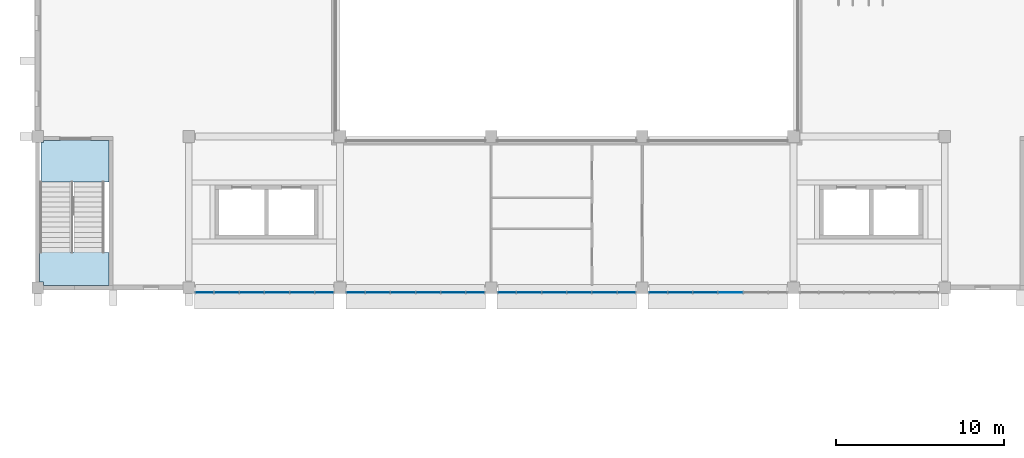
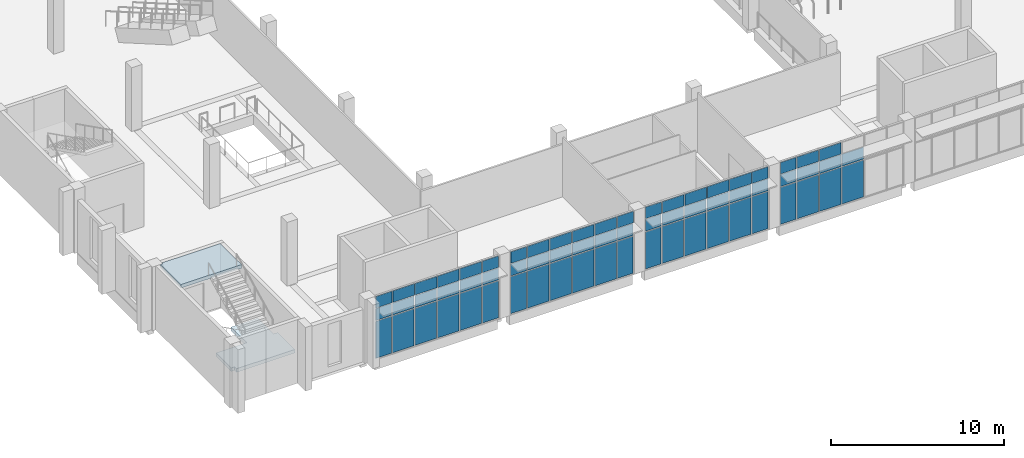
# One storey, part 17 of 45: 65 plates, 2 slabs, 5 elements without a shape of their own.
"""IFC4 building model written with IfcOpenShell, lengths in metres."""

from ifc_helpers import new_model, si_unit, direction, frame, origin, origin_2d, place, context, subcontext, project, spatial, polyline, rectangle, outline, extrude, material, layer, layer_set, type_object, element, aggregate, save


model = new_model("IFC4")

# Units and contexts
model_context = context("Model", 3, precision=1e-05, world=origin(), true_north=direction((0.0, 1.0)))
body_context = subcontext(model_context, "Body", "Model", "MODEL_VIEW")
ifc_project = project(units=[si_unit("LENGTHUNIT", "METRE"), si_unit("AREAUNIT", "SQUARE_METRE"), si_unit("VOLUMEUNIT", "CUBIC_METRE"), si_unit("PLANEANGLEUNIT", "RADIAN"), si_unit("MASSUNIT", "GRAM", prefix="KILO")], contexts=[model_context])

# Site, building, storey
site_placement = place(None, origin())
site = spatial("IfcSite", under=ifc_project, at=site_placement, CompositionType="ELEMENT")
building_placement = place(site_placement, origin())
building = spatial("IfcBuilding", under=site, at=building_placement, Name="Guidao Yard Department Store", CompositionType="ELEMENT")
storey_placement = place(building_placement, frame((0.0, 0.0, 19.5)))
storey = spatial("IfcBuildingStorey", under=building, at=storey_placement, Name="L04", CompositionType="ELEMENT", Elevation=19.5)

# Curtain wall, plates
ifc_material_1 = material(Name="Aluminium and glass", Category="aluminium")
ifc_layer_1 = layer(ifc_material_1, 0.159912109375)
ifc_layer_set_1 = layer_set([ifc_layer_1], Name="Hall front curtain wall CW2 1500 module")
curtain_wall_type = type_object("IfcCurtainWallType", Name="Hall front curtain wall CW2 1500 module", PredefinedType="NOTDEFINED", material=ifc_layer_set_1)
curtain_wall_1_placement = place(storey_placement, origin())
curtain_wall_1 = element("IfcCurtainWall", 1, at=curtain_wall_1_placement, inside=storey, type_object=curtain_wall_type, Name="Hall front curtain wall", PredefinedType="NOTDEFINED")
ifc_material_2 = material(Name="Aluminium 6063-T5 faced insulated spandrel", Category="aluminium")
ifc_layer_2 = layer(ifc_material_2, 0.06005859375)
ifc_layer_set_2 = layer_set([ifc_layer_2], Name="Spandrel panel SP1 insulated opaque")
plate_type_1 = type_object("IfcPlateType", Name="Spandrel panel SP1 insulated opaque", PredefinedType="CURTAIN_PANEL", material=ifc_layer_set_2)
plate_1_placement = place(storey_placement, frame((9.93994140625, 44.719970703125, 3.6298828125), z_axis=(0.0, 0.0, 1.0), x_axis=(-1.0, 0.0, 0.0)))
plate_1 = element("IfcPlate", 2, at=plate_1_placement, type_object=plate_type_1, Name="CW-HF-L04-01 panel 1.3", PredefinedType="CURTAIN_PANEL", context=body_context, shape_type="SweptSolid", body=[
    extrude(rectangle(XDim=1.06005859375, YDim=0.06005859375, at=origin_2d()), origin(), (0.0, 0.0, 1.0), 0.81005859375),
])
plate_2_placement = place(storey_placement, frame((11.25, 44.719970703125, 3.6298828125), z_axis=(0.0, 0.0, 1.0), x_axis=(-1.0, 0.0, 0.0)))
plate_2 = element("IfcPlate", 3, at=plate_2_placement, type_object=plate_type_1, Name="CW-HF-L04-01 panel 2.3", PredefinedType="CURTAIN_PANEL", context=body_context, shape_type="SweptSolid", body=[
    extrude(rectangle(XDim=1.43994140625, YDim=0.06005859375, at=origin_2d()), origin(), (0.0, 0.0, 1.0), 0.81005859375),
])
plate_3_placement = place(storey_placement, frame((12.75, 44.719970703125, 3.6298828125), z_axis=(0.0, 0.0, 1.0), x_axis=(-1.0, 0.0, 0.0)))
plate_3 = element("IfcPlate", 4, at=plate_3_placement, type_object=plate_type_1, Name="CW-HF-L04-01 panel 3.3", PredefinedType="CURTAIN_PANEL", context=body_context, shape_type="SweptSolid", body=[
    extrude(rectangle(XDim=1.43994140625, YDim=0.06005859375, at=origin_2d()), origin(), (0.0, 0.0, 1.0), 0.81005859375),
])
plate_4_placement = place(storey_placement, frame((14.25, 44.719970703125, 3.6298828125), z_axis=(0.0, 0.0, 1.0), x_axis=(-1.0, 0.0, 0.0)))
plate_4 = element("IfcPlate", 5, at=plate_4_placement, type_object=plate_type_1, Name="CW-HF-L04-01 panel 4.3", PredefinedType="CURTAIN_PANEL", context=body_context, shape_type="SweptSolid", body=[
    extrude(rectangle(XDim=1.43994140625, YDim=0.06005859375, at=origin_2d()), origin(), (0.0, 0.0, 1.0), 0.81005859375),
])
plate_5_placement = place(storey_placement, frame((15.75, 44.719970703125, 3.6298828125), z_axis=(0.0, 0.0, 1.0), x_axis=(-1.0, 0.0, 0.0)))
plate_5 = element("IfcPlate", 6, at=plate_5_placement, type_object=plate_type_1, Name="CW-HF-L04-01 panel 5.3", PredefinedType="CURTAIN_PANEL", context=body_context, shape_type="SweptSolid", body=[
    extrude(rectangle(XDim=1.43994140625, YDim=0.06005859375, at=origin_2d()), origin(), (0.0, 0.0, 1.0), 0.81005859375),
])
plate_6_placement = place(storey_placement, frame((17.06005859375, 44.719970703125, 3.6298828125), z_axis=(0.0, 0.0, 1.0), x_axis=(-1.0, 0.0, 0.0)))
plate_6 = element("IfcPlate", 7, at=plate_6_placement, type_object=plate_type_1, Name="CW-HF-L04-01 panel 6.3", PredefinedType="CURTAIN_PANEL", context=body_context, shape_type="SweptSolid", body=[
    extrude(rectangle(XDim=1.06005859375, YDim=0.06005859375, at=origin_2d()), origin(), (0.0, 0.0, 1.0), 0.81005859375),
])

curtain_wall_2_placement = place(storey_placement, origin())
curtain_wall_2 = element("IfcCurtainWall", 8, at=curtain_wall_2_placement, inside=storey, type_object=curtain_wall_type, Name="Hall front curtain wall", PredefinedType="NOTDEFINED")
plate_7_placement = place(storey_placement, frame((18.93994140625, 44.719970703125, 3.6298828125), z_axis=(0.0, 0.0, 1.0), x_axis=(-1.0, 0.0, 0.0)))
plate_7 = element("IfcPlate", 9, at=plate_7_placement, type_object=plate_type_1, Name="CW-HF-L04-02 panel 1.3", PredefinedType="CURTAIN_PANEL", context=body_context, shape_type="SweptSolid", body=[
    extrude(rectangle(XDim=1.06005859375, YDim=0.06005859375, at=origin_2d()), origin(), (0.0, 0.0, 1.0), 0.81005859375),
])
plate_8_placement = place(storey_placement, frame((20.25, 44.719970703125, 3.6298828125), z_axis=(0.0, 0.0, 1.0), x_axis=(-1.0, 0.0, 0.0)))
plate_8 = element("IfcPlate", 10, at=plate_8_placement, type_object=plate_type_1, Name="CW-HF-L04-02 panel 2.3", PredefinedType="CURTAIN_PANEL", context=body_context, shape_type="SweptSolid", body=[
    extrude(rectangle(XDim=1.43994140625, YDim=0.06005859375, at=origin_2d()), origin(), (0.0, 0.0, 1.0), 0.81005859375),
])
plate_9_placement = place(storey_placement, frame((21.75, 44.719970703125, 3.6298828125), z_axis=(0.0, 0.0, 1.0), x_axis=(-1.0, 0.0, 0.0)))
plate_9 = element("IfcPlate", 11, at=plate_9_placement, type_object=plate_type_1, Name="CW-HF-L04-02 panel 3.3", PredefinedType="CURTAIN_PANEL", context=body_context, shape_type="SweptSolid", body=[
    extrude(rectangle(XDim=1.43994140625, YDim=0.06005859375, at=origin_2d()), origin(), (0.0, 0.0, 1.0), 0.81005859375),
])
plate_10_placement = place(storey_placement, frame((23.25, 44.719970703125, 3.6298828125), z_axis=(0.0, 0.0, 1.0), x_axis=(-1.0, 0.0, 0.0)))
plate_10 = element("IfcPlate", 12, at=plate_10_placement, type_object=plate_type_1, Name="CW-HF-L04-02 panel 4.3", PredefinedType="CURTAIN_PANEL", context=body_context, shape_type="SweptSolid", body=[
    extrude(rectangle(XDim=1.43994140625, YDim=0.06005859375, at=origin_2d()), origin(), (0.0, 0.0, 1.0), 0.81005859375),
])
plate_11_placement = place(storey_placement, frame((24.75, 44.719970703125, 3.6298828125), z_axis=(0.0, 0.0, 1.0), x_axis=(-1.0, 0.0, 0.0)))
plate_11 = element("IfcPlate", 13, at=plate_11_placement, type_object=plate_type_1, Name="CW-HF-L04-02 panel 5.3", PredefinedType="CURTAIN_PANEL", context=body_context, shape_type="SweptSolid", body=[
    extrude(rectangle(XDim=1.43994140625, YDim=0.06005859375, at=origin_2d()), origin(), (0.0, 0.0, 1.0), 0.81005859375),
])
plate_12_placement = place(storey_placement, frame((26.06005859375, 44.719970703125, 3.6298828125), z_axis=(0.0, 0.0, 1.0), x_axis=(-1.0, 0.0, 0.0)))
plate_12 = element("IfcPlate", 14, at=plate_12_placement, type_object=plate_type_1, Name="CW-HF-L04-02 panel 6.3", PredefinedType="CURTAIN_PANEL", context=body_context, shape_type="SweptSolid", body=[
    extrude(rectangle(XDim=1.06005859375, YDim=0.06005859375, at=origin_2d()), origin(), (0.0, 0.0, 1.0), 0.81005859375),
])

curtain_wall_3_placement = place(storey_placement, origin())
curtain_wall_3 = element("IfcCurtainWall", 15, at=curtain_wall_3_placement, inside=storey, type_object=curtain_wall_type, Name="Hall front curtain wall", PredefinedType="NOTDEFINED")
plate_13_placement = place(storey_placement, frame((27.93994140625, 44.719970703125, 3.6298828125), z_axis=(0.0, 0.0, 1.0), x_axis=(-1.0, 0.0, 0.0)))
plate_13 = element("IfcPlate", 16, at=plate_13_placement, type_object=plate_type_1, Name="CW-HF-L04-03 panel 1.3", PredefinedType="CURTAIN_PANEL", context=body_context, shape_type="SweptSolid", body=[
    extrude(rectangle(XDim=1.06005859375, YDim=0.06005859375, at=origin_2d()), origin(), (0.0, 0.0, 1.0), 0.81005859375),
])
plate_14_placement = place(storey_placement, frame((29.25, 44.719970703125, 3.6298828125), z_axis=(0.0, 0.0, 1.0), x_axis=(-1.0, 0.0, 0.0)))
plate_14 = element("IfcPlate", 17, at=plate_14_placement, type_object=plate_type_1, Name="CW-HF-L04-03 panel 2.3", PredefinedType="CURTAIN_PANEL", context=body_context, shape_type="SweptSolid", body=[
    extrude(rectangle(XDim=1.43994140625, YDim=0.06005859375, at=origin_2d()), origin(), (0.0, 0.0, 1.0), 0.81005859375),
])
plate_15_placement = place(storey_placement, frame((30.75, 44.719970703125, 3.6298828125), z_axis=(0.0, 0.0, 1.0), x_axis=(-1.0, 0.0, 0.0)))
plate_15 = element("IfcPlate", 18, at=plate_15_placement, type_object=plate_type_1, Name="CW-HF-L04-03 panel 3.3", PredefinedType="CURTAIN_PANEL", context=body_context, shape_type="SweptSolid", body=[
    extrude(rectangle(XDim=1.43994140625, YDim=0.06005859375, at=origin_2d()), origin(), (0.0, 0.0, 1.0), 0.81005859375),
])
plate_16_placement = place(storey_placement, frame((32.25, 44.719970703125, 3.6298828125), z_axis=(0.0, 0.0, 1.0), x_axis=(-1.0, 0.0, 0.0)))
plate_16 = element("IfcPlate", 19, at=plate_16_placement, type_object=plate_type_1, Name="CW-HF-L04-03 panel 4.3", PredefinedType="CURTAIN_PANEL", context=body_context, shape_type="SweptSolid", body=[
    extrude(rectangle(XDim=1.43994140625, YDim=0.06005859375, at=origin_2d()), origin(), (0.0, 0.0, 1.0), 0.81005859375),
])
plate_17_placement = place(storey_placement, frame((33.75, 44.719970703125, 3.6298828125), z_axis=(0.0, 0.0, 1.0), x_axis=(-1.0, 0.0, 0.0)))
plate_17 = element("IfcPlate", 20, at=plate_17_placement, type_object=plate_type_1, Name="CW-HF-L04-03 panel 5.3", PredefinedType="CURTAIN_PANEL", context=body_context, shape_type="SweptSolid", body=[
    extrude(rectangle(XDim=1.43994140625, YDim=0.06005859375, at=origin_2d()), origin(), (0.0, 0.0, 1.0), 0.81005859375),
])
plate_18_placement = place(storey_placement, frame((35.06005859375, 44.719970703125, 3.6298828125), z_axis=(0.0, 0.0, 1.0), x_axis=(-1.0, 0.0, 0.0)))
plate_18 = element("IfcPlate", 21, at=plate_18_placement, type_object=plate_type_1, Name="CW-HF-L04-03 panel 6.3", PredefinedType="CURTAIN_PANEL", context=body_context, shape_type="SweptSolid", body=[
    extrude(rectangle(XDim=1.06005859375, YDim=0.06005859375, at=origin_2d()), origin(), (0.0, 0.0, 1.0), 0.81005859375),
])

curtain_wall_4_placement = place(storey_placement, origin())
curtain_wall_4 = element("IfcCurtainWall", 22, at=curtain_wall_4_placement, inside=storey, type_object=curtain_wall_type, Name="Hall front curtain wall", PredefinedType="NOTDEFINED")
plate_19_placement = place(storey_placement, frame((36.93994140625, 44.719970703125, 3.6298828125), z_axis=(0.0, 0.0, 1.0), x_axis=(-1.0, 0.0, 0.0)))
plate_19 = element("IfcPlate", 23, at=plate_19_placement, type_object=plate_type_1, Name="CW-HF-L04-04 panel 1.3", PredefinedType="CURTAIN_PANEL", context=body_context, shape_type="SweptSolid", body=[
    extrude(rectangle(XDim=1.06005859375, YDim=0.06005859375, at=origin_2d()), origin(), (0.0, 0.0, 1.0), 0.81005859375),
])
plate_20_placement = place(storey_placement, frame((38.25, 44.719970703125, 3.6298828125), z_axis=(0.0, 0.0, 1.0), x_axis=(-1.0, 0.0, 0.0)))
plate_20 = element("IfcPlate", 24, at=plate_20_placement, type_object=plate_type_1, Name="CW-HF-L04-04 panel 2.3", PredefinedType="CURTAIN_PANEL", context=body_context, shape_type="SweptSolid", body=[
    extrude(rectangle(XDim=1.43994140625, YDim=0.06005859375, at=origin_2d()), origin(), (0.0, 0.0, 1.0), 0.81005859375),
])
plate_21_placement = place(storey_placement, frame((39.75, 44.719970703125, 3.6298828125), z_axis=(0.0, 0.0, 1.0), x_axis=(-1.0, 0.0, 0.0)))
plate_21 = element("IfcPlate", 25, at=plate_21_placement, type_object=plate_type_1, Name="CW-HF-L04-04 panel 3.3", PredefinedType="CURTAIN_PANEL", context=body_context, shape_type="SweptSolid", body=[
    extrude(rectangle(XDim=1.43994140625, YDim=0.06005859375, at=origin_2d()), origin(), (0.0, 0.0, 1.0), 0.81005859375),
])

# Stair, slabs
ifc_material_3 = material(Name="Concrete C35", Category="concrete")
stair_type = type_object("IfcStairType", Name="Stair half-turn two-flight 1800 wide 4.5 m rise", PredefinedType="HALF_TURN_STAIR", material=ifc_material_3)
stair_placement = place(storey_placement, origin())
stair = element("IfcStair", 26, at=stair_placement, inside=storey, type_object=stair_type, Name="Stair A8 L04 to L05", PredefinedType="HALF_TURN_STAIR")
ifc_material_4 = material(Name="Concrete C35", Category="concrete")
ifc_layer_3 = layer(ifc_material_4, 0.25)
ifc_layer_set_3 = layer_set([ifc_layer_3], Name="Stair landing RC 250 C35")
slab_type = type_object("IfcSlabType", Name="Stair landing RC 250 C35", PredefinedType="LANDING", material=ifc_layer_set_3)
slab_1_placement = place(storey_placement, frame((0.0, 0.0, 2.0)))
slab_1 = element("IfcSlab", 27, at=slab_1_placement, type_object=slab_type, Name="SA8-L04 landing 1", PredefinedType="LANDING", context=body_context, shape_type="SweptSolid", body=[
    extrude(outline(polyline([(0.35009765625, 45.125), (0.35009765625, 45.35009765625), (0.125, 45.35009765625), (0.125, 47.10009765625), (0.125, 47.110107421875), (2.175048828125, 47.110107421875), (2.175048828125, 48.929931640625), (3.97509765625, 48.929931640625), (3.97509765625, 47.10009765625), (4.25, 47.10009765625), (4.25, 45.125), (0.35009765625, 45.125)])), origin(), (0.0, 0.0, 1.0), 0.25),
])
slab_2_placement = place(storey_placement, frame((0.0, 0.0, 4.25)))
slab_2 = element("IfcSlab", 28, at=slab_2_placement, type_object=slab_type, Name="SA8-L04 landing 2", PredefinedType="LANDING", context=body_context, shape_type="SweptSolid", body=[
    extrude(outline(polyline([(2.175048828125, 51.2900390625), (2.175048828125, 51.300048828125), (0.199951171875, 51.300048828125), (0.199951171875, 53.64990234375), (0.35009765625, 53.64990234375), (0.35009765625, 53.75), (2.175048828125, 53.75), (4.25, 53.75), (4.25, 51.2900390625), (2.175048828125, 51.2900390625)])), origin(), (0.0, 0.0, 1.0), 0.25),
])
aggregate(stair, [slab_1, slab_2])

# Plate
ifc_material_5 = material(Name="Laminated heat-soaked tempered glass", Category="glass")
ifc_layer_4 = layer(ifc_material_5, 0.017578125)
ifc_layer_set_4 = layer_set([ifc_layer_4], Name="Vision glass VG1 laminated heat-soaked tempered 8+8")
plate_type_2 = type_object("IfcPlateType", Name="Vision glass VG1 laminated heat-soaked tempered 8+8", PredefinedType="CURTAIN_PANEL", material=ifc_layer_set_4)
plate_22_placement = place(storey_placement, frame((9.93994140625, 44.719970703125, 0.06005859375), z_axis=(0.0, 0.0, 1.0), x_axis=(-1.0, 0.0, 0.0)))
plate_22 = element("IfcPlate", 29, at=plate_22_placement, type_object=plate_type_2, Name="CW-HF-L04-01 panel 1.1", PredefinedType="CURTAIN_PANEL", context=body_context, shape_type="SweptSolid", body=[
    extrude(rectangle(XDim=1.06005859375, YDim=0.017578125, at=origin_2d()), origin(), (0.0, 0.0, 1.0), 2.610107421875),
])

plate_23_placement = place(storey_placement, frame((9.93994140625, 44.719970703125, 2.72998046875), z_axis=(0.0, 0.0, 1.0), x_axis=(-1.0, 0.0, 0.0)))
plate_23 = element("IfcPlate", 30, at=plate_23_placement, type_object=plate_type_2, Name="CW-HF-L04-01 panel 1.2", PredefinedType="CURTAIN_PANEL", context=body_context, shape_type="SweptSolid", body=[
    extrude(rectangle(XDim=1.06005859375, YDim=0.017578125, at=origin_2d()), origin(), (0.0, 0.0, 1.0), 0.840087890625),
])

plate_24_placement = place(storey_placement, frame((11.25, 44.719970703125, 0.06005859375), z_axis=(0.0, 0.0, 1.0), x_axis=(-1.0, 0.0, 0.0)))
plate_24 = element("IfcPlate", 31, at=plate_24_placement, type_object=plate_type_2, Name="CW-HF-L04-01 panel 2.1", PredefinedType="CURTAIN_PANEL", context=body_context, shape_type="SweptSolid", body=[
    extrude(rectangle(XDim=1.43994140625, YDim=0.017578125, at=origin_2d()), origin(), (0.0, 0.0, 1.0), 2.610107421875),
])

plate_25_placement = place(storey_placement, frame((11.25, 44.719970703125, 2.72998046875), z_axis=(0.0, 0.0, 1.0), x_axis=(-1.0, 0.0, 0.0)))
plate_25 = element("IfcPlate", 32, at=plate_25_placement, type_object=plate_type_2, Name="CW-HF-L04-01 panel 2.2", PredefinedType="CURTAIN_PANEL", context=body_context, shape_type="SweptSolid", body=[
    extrude(rectangle(XDim=1.43994140625, YDim=0.017578125, at=origin_2d()), origin(), (0.0, 0.0, 1.0), 0.840087890625),
])

plate_26_placement = place(storey_placement, frame((12.75, 44.719970703125, 0.06005859375), z_axis=(0.0, 0.0, 1.0), x_axis=(-1.0, 0.0, 0.0)))
plate_26 = element("IfcPlate", 33, at=plate_26_placement, type_object=plate_type_2, Name="CW-HF-L04-01 panel 3.1", PredefinedType="CURTAIN_PANEL", context=body_context, shape_type="SweptSolid", body=[
    extrude(rectangle(XDim=1.43994140625, YDim=0.017578125, at=origin_2d()), origin(), (0.0, 0.0, 1.0), 2.610107421875),
])

plate_27_placement = place(storey_placement, frame((12.75, 44.719970703125, 2.72998046875), z_axis=(0.0, 0.0, 1.0), x_axis=(-1.0, 0.0, 0.0)))
plate_27 = element("IfcPlate", 34, at=plate_27_placement, type_object=plate_type_2, Name="CW-HF-L04-01 panel 3.2", PredefinedType="CURTAIN_PANEL", context=body_context, shape_type="SweptSolid", body=[
    extrude(rectangle(XDim=1.43994140625, YDim=0.017578125, at=origin_2d()), origin(), (0.0, 0.0, 1.0), 0.840087890625),
])

plate_28_placement = place(storey_placement, frame((14.25, 44.719970703125, 0.06005859375), z_axis=(0.0, 0.0, 1.0), x_axis=(-1.0, 0.0, 0.0)))
plate_28 = element("IfcPlate", 35, at=plate_28_placement, type_object=plate_type_2, Name="CW-HF-L04-01 panel 4.1", PredefinedType="CURTAIN_PANEL", context=body_context, shape_type="SweptSolid", body=[
    extrude(rectangle(XDim=1.43994140625, YDim=0.017578125, at=origin_2d()), origin(), (0.0, 0.0, 1.0), 2.610107421875),
])

plate_29_placement = place(storey_placement, frame((14.25, 44.719970703125, 2.72998046875), z_axis=(0.0, 0.0, 1.0), x_axis=(-1.0, 0.0, 0.0)))
plate_29 = element("IfcPlate", 36, at=plate_29_placement, type_object=plate_type_2, Name="CW-HF-L04-01 panel 4.2", PredefinedType="CURTAIN_PANEL", context=body_context, shape_type="SweptSolid", body=[
    extrude(rectangle(XDim=1.43994140625, YDim=0.017578125, at=origin_2d()), origin(), (0.0, 0.0, 1.0), 0.840087890625),
])

plate_30_placement = place(storey_placement, frame((15.75, 44.719970703125, 0.06005859375), z_axis=(0.0, 0.0, 1.0), x_axis=(-1.0, 0.0, 0.0)))
plate_30 = element("IfcPlate", 37, at=plate_30_placement, type_object=plate_type_2, Name="CW-HF-L04-01 panel 5.1", PredefinedType="CURTAIN_PANEL", context=body_context, shape_type="SweptSolid", body=[
    extrude(rectangle(XDim=1.43994140625, YDim=0.017578125, at=origin_2d()), origin(), (0.0, 0.0, 1.0), 2.610107421875),
])

plate_31_placement = place(storey_placement, frame((15.75, 44.719970703125, 2.72998046875), z_axis=(0.0, 0.0, 1.0), x_axis=(-1.0, 0.0, 0.0)))
plate_31 = element("IfcPlate", 38, at=plate_31_placement, type_object=plate_type_2, Name="CW-HF-L04-01 panel 5.2", PredefinedType="CURTAIN_PANEL", context=body_context, shape_type="SweptSolid", body=[
    extrude(rectangle(XDim=1.43994140625, YDim=0.017578125, at=origin_2d()), origin(), (0.0, 0.0, 1.0), 0.840087890625),
])

plate_32_placement = place(storey_placement, frame((17.06005859375, 44.719970703125, 0.06005859375), z_axis=(0.0, 0.0, 1.0), x_axis=(-1.0, 0.0, 0.0)))
plate_32 = element("IfcPlate", 39, at=plate_32_placement, type_object=plate_type_2, Name="CW-HF-L04-01 panel 6.1", PredefinedType="CURTAIN_PANEL", context=body_context, shape_type="SweptSolid", body=[
    extrude(rectangle(XDim=1.06005859375, YDim=0.017578125, at=origin_2d()), origin(), (0.0, 0.0, 1.0), 2.610107421875),
])

plate_33_placement = place(storey_placement, frame((17.06005859375, 44.719970703125, 2.72998046875), z_axis=(0.0, 0.0, 1.0), x_axis=(-1.0, 0.0, 0.0)))
plate_33 = element("IfcPlate", 40, at=plate_33_placement, type_object=plate_type_2, Name="CW-HF-L04-01 panel 6.2", PredefinedType="CURTAIN_PANEL", context=body_context, shape_type="SweptSolid", body=[
    extrude(rectangle(XDim=1.06005859375, YDim=0.017578125, at=origin_2d()), origin(), (0.0, 0.0, 1.0), 0.840087890625),
])

aggregate(curtain_wall_1, [plate_22, plate_23, plate_1, plate_24, plate_25, plate_2, plate_26, plate_27, plate_3, plate_28, plate_29, plate_4, plate_30, plate_31, plate_5, plate_32, plate_33, plate_6])

plate_34_placement = place(storey_placement, frame((18.93994140625, 44.719970703125, 0.06005859375), z_axis=(0.0, 0.0, 1.0), x_axis=(-1.0, 0.0, 0.0)))
plate_34 = element("IfcPlate", 41, at=plate_34_placement, type_object=plate_type_2, Name="CW-HF-L04-02 panel 1.1", PredefinedType="CURTAIN_PANEL", context=body_context, shape_type="SweptSolid", body=[
    extrude(rectangle(XDim=1.06005859375, YDim=0.017578125, at=origin_2d()), origin(), (0.0, 0.0, 1.0), 2.610107421875),
])

plate_35_placement = place(storey_placement, frame((18.93994140625, 44.719970703125, 2.72998046875), z_axis=(0.0, 0.0, 1.0), x_axis=(-1.0, 0.0, 0.0)))
plate_35 = element("IfcPlate", 42, at=plate_35_placement, type_object=plate_type_2, Name="CW-HF-L04-02 panel 1.2", PredefinedType="CURTAIN_PANEL", context=body_context, shape_type="SweptSolid", body=[
    extrude(rectangle(XDim=1.06005859375, YDim=0.017578125, at=origin_2d()), origin(), (0.0, 0.0, 1.0), 0.840087890625),
])

plate_36_placement = place(storey_placement, frame((20.25, 44.719970703125, 0.06005859375), z_axis=(0.0, 0.0, 1.0), x_axis=(-1.0, 0.0, 0.0)))
plate_36 = element("IfcPlate", 43, at=plate_36_placement, type_object=plate_type_2, Name="CW-HF-L04-02 panel 2.1", PredefinedType="CURTAIN_PANEL", context=body_context, shape_type="SweptSolid", body=[
    extrude(rectangle(XDim=1.43994140625, YDim=0.017578125, at=origin_2d()), origin(), (0.0, 0.0, 1.0), 2.610107421875),
])

plate_37_placement = place(storey_placement, frame((20.25, 44.719970703125, 2.72998046875), z_axis=(0.0, 0.0, 1.0), x_axis=(-1.0, 0.0, 0.0)))
plate_37 = element("IfcPlate", 44, at=plate_37_placement, type_object=plate_type_2, Name="CW-HF-L04-02 panel 2.2", PredefinedType="CURTAIN_PANEL", context=body_context, shape_type="SweptSolid", body=[
    extrude(rectangle(XDim=1.43994140625, YDim=0.017578125, at=origin_2d()), origin(), (0.0, 0.0, 1.0), 0.840087890625),
])

plate_38_placement = place(storey_placement, frame((21.75, 44.719970703125, 0.06005859375), z_axis=(0.0, 0.0, 1.0), x_axis=(-1.0, 0.0, 0.0)))
plate_38 = element("IfcPlate", 45, at=plate_38_placement, type_object=plate_type_2, Name="CW-HF-L04-02 panel 3.1", PredefinedType="CURTAIN_PANEL", context=body_context, shape_type="SweptSolid", body=[
    extrude(rectangle(XDim=1.43994140625, YDim=0.017578125, at=origin_2d()), origin(), (0.0, 0.0, 1.0), 2.610107421875),
])

plate_39_placement = place(storey_placement, frame((21.75, 44.719970703125, 2.72998046875), z_axis=(0.0, 0.0, 1.0), x_axis=(-1.0, 0.0, 0.0)))
plate_39 = element("IfcPlate", 46, at=plate_39_placement, type_object=plate_type_2, Name="CW-HF-L04-02 panel 3.2", PredefinedType="CURTAIN_PANEL", context=body_context, shape_type="SweptSolid", body=[
    extrude(rectangle(XDim=1.43994140625, YDim=0.017578125, at=origin_2d()), origin(), (0.0, 0.0, 1.0), 0.840087890625),
])

plate_40_placement = place(storey_placement, frame((23.25, 44.719970703125, 0.06005859375), z_axis=(0.0, 0.0, 1.0), x_axis=(-1.0, 0.0, 0.0)))
plate_40 = element("IfcPlate", 47, at=plate_40_placement, type_object=plate_type_2, Name="CW-HF-L04-02 panel 4.1", PredefinedType="CURTAIN_PANEL", context=body_context, shape_type="SweptSolid", body=[
    extrude(rectangle(XDim=1.43994140625, YDim=0.017578125, at=origin_2d()), origin(), (0.0, 0.0, 1.0), 2.610107421875),
])

plate_41_placement = place(storey_placement, frame((23.25, 44.719970703125, 2.72998046875), z_axis=(0.0, 0.0, 1.0), x_axis=(-1.0, 0.0, 0.0)))
plate_41 = element("IfcPlate", 48, at=plate_41_placement, type_object=plate_type_2, Name="CW-HF-L04-02 panel 4.2", PredefinedType="CURTAIN_PANEL", context=body_context, shape_type="SweptSolid", body=[
    extrude(rectangle(XDim=1.43994140625, YDim=0.017578125, at=origin_2d()), origin(), (0.0, 0.0, 1.0), 0.840087890625),
])

plate_42_placement = place(storey_placement, frame((24.75, 44.719970703125, 0.06005859375), z_axis=(0.0, 0.0, 1.0), x_axis=(-1.0, 0.0, 0.0)))
plate_42 = element("IfcPlate", 49, at=plate_42_placement, type_object=plate_type_2, Name="CW-HF-L04-02 panel 5.1", PredefinedType="CURTAIN_PANEL", context=body_context, shape_type="SweptSolid", body=[
    extrude(rectangle(XDim=1.43994140625, YDim=0.017578125, at=origin_2d()), origin(), (0.0, 0.0, 1.0), 2.610107421875),
])

plate_43_placement = place(storey_placement, frame((24.75, 44.719970703125, 2.72998046875), z_axis=(0.0, 0.0, 1.0), x_axis=(-1.0, 0.0, 0.0)))
plate_43 = element("IfcPlate", 50, at=plate_43_placement, type_object=plate_type_2, Name="CW-HF-L04-02 panel 5.2", PredefinedType="CURTAIN_PANEL", context=body_context, shape_type="SweptSolid", body=[
    extrude(rectangle(XDim=1.43994140625, YDim=0.017578125, at=origin_2d()), origin(), (0.0, 0.0, 1.0), 0.840087890625),
])

plate_44_placement = place(storey_placement, frame((26.06005859375, 44.719970703125, 0.06005859375), z_axis=(0.0, 0.0, 1.0), x_axis=(-1.0, 0.0, 0.0)))
plate_44 = element("IfcPlate", 51, at=plate_44_placement, type_object=plate_type_2, Name="CW-HF-L04-02 panel 6.1", PredefinedType="CURTAIN_PANEL", context=body_context, shape_type="SweptSolid", body=[
    extrude(rectangle(XDim=1.06005859375, YDim=0.017578125, at=origin_2d()), origin(), (0.0, 0.0, 1.0), 2.610107421875),
])

plate_45_placement = place(storey_placement, frame((26.06005859375, 44.719970703125, 2.72998046875), z_axis=(0.0, 0.0, 1.0), x_axis=(-1.0, 0.0, 0.0)))
plate_45 = element("IfcPlate", 52, at=plate_45_placement, type_object=plate_type_2, Name="CW-HF-L04-02 panel 6.2", PredefinedType="CURTAIN_PANEL", context=body_context, shape_type="SweptSolid", body=[
    extrude(rectangle(XDim=1.06005859375, YDim=0.017578125, at=origin_2d()), origin(), (0.0, 0.0, 1.0), 0.840087890625),
])

aggregate(curtain_wall_2, [plate_34, plate_35, plate_7, plate_36, plate_37, plate_8, plate_38, plate_39, plate_9, plate_40, plate_41, plate_10, plate_42, plate_43, plate_11, plate_44, plate_45, plate_12])

plate_46_placement = place(storey_placement, frame((27.93994140625, 44.719970703125, 0.06005859375), z_axis=(0.0, 0.0, 1.0), x_axis=(-1.0, 0.0, 0.0)))
plate_46 = element("IfcPlate", 53, at=plate_46_placement, type_object=plate_type_2, Name="CW-HF-L04-03 panel 1.1", PredefinedType="CURTAIN_PANEL", context=body_context, shape_type="SweptSolid", body=[
    extrude(rectangle(XDim=1.06005859375, YDim=0.017578125, at=origin_2d()), origin(), (0.0, 0.0, 1.0), 2.610107421875),
])

plate_47_placement = place(storey_placement, frame((27.93994140625, 44.719970703125, 2.72998046875), z_axis=(0.0, 0.0, 1.0), x_axis=(-1.0, 0.0, 0.0)))
plate_47 = element("IfcPlate", 54, at=plate_47_placement, type_object=plate_type_2, Name="CW-HF-L04-03 panel 1.2", PredefinedType="CURTAIN_PANEL", context=body_context, shape_type="SweptSolid", body=[
    extrude(rectangle(XDim=1.06005859375, YDim=0.017578125, at=origin_2d()), origin(), (0.0, 0.0, 1.0), 0.840087890625),
])

plate_48_placement = place(storey_placement, frame((29.25, 44.719970703125, 0.06005859375), z_axis=(0.0, 0.0, 1.0), x_axis=(-1.0, 0.0, 0.0)))
plate_48 = element("IfcPlate", 55, at=plate_48_placement, type_object=plate_type_2, Name="CW-HF-L04-03 panel 2.1", PredefinedType="CURTAIN_PANEL", context=body_context, shape_type="SweptSolid", body=[
    extrude(rectangle(XDim=1.43994140625, YDim=0.017578125, at=origin_2d()), origin(), (0.0, 0.0, 1.0), 2.610107421875),
])

plate_49_placement = place(storey_placement, frame((29.25, 44.719970703125, 2.72998046875), z_axis=(0.0, 0.0, 1.0), x_axis=(-1.0, 0.0, 0.0)))
plate_49 = element("IfcPlate", 56, at=plate_49_placement, type_object=plate_type_2, Name="CW-HF-L04-03 panel 2.2", PredefinedType="CURTAIN_PANEL", context=body_context, shape_type="SweptSolid", body=[
    extrude(rectangle(XDim=1.43994140625, YDim=0.017578125, at=origin_2d()), origin(), (0.0, 0.0, 1.0), 0.840087890625),
])

plate_50_placement = place(storey_placement, frame((30.75, 44.719970703125, 0.06005859375), z_axis=(0.0, 0.0, 1.0), x_axis=(-1.0, 0.0, 0.0)))
plate_50 = element("IfcPlate", 57, at=plate_50_placement, type_object=plate_type_2, Name="CW-HF-L04-03 panel 3.1", PredefinedType="CURTAIN_PANEL", context=body_context, shape_type="SweptSolid", body=[
    extrude(rectangle(XDim=1.43994140625, YDim=0.017578125, at=origin_2d()), origin(), (0.0, 0.0, 1.0), 2.610107421875),
])

plate_51_placement = place(storey_placement, frame((30.75, 44.719970703125, 2.72998046875), z_axis=(0.0, 0.0, 1.0), x_axis=(-1.0, 0.0, 0.0)))
plate_51 = element("IfcPlate", 58, at=plate_51_placement, type_object=plate_type_2, Name="CW-HF-L04-03 panel 3.2", PredefinedType="CURTAIN_PANEL", context=body_context, shape_type="SweptSolid", body=[
    extrude(rectangle(XDim=1.43994140625, YDim=0.017578125, at=origin_2d()), origin(), (0.0, 0.0, 1.0), 0.840087890625),
])

plate_52_placement = place(storey_placement, frame((32.25, 44.719970703125, 0.06005859375), z_axis=(0.0, 0.0, 1.0), x_axis=(-1.0, 0.0, 0.0)))
plate_52 = element("IfcPlate", 59, at=plate_52_placement, type_object=plate_type_2, Name="CW-HF-L04-03 panel 4.1", PredefinedType="CURTAIN_PANEL", context=body_context, shape_type="SweptSolid", body=[
    extrude(rectangle(XDim=1.43994140625, YDim=0.017578125, at=origin_2d()), origin(), (0.0, 0.0, 1.0), 2.610107421875),
])

plate_53_placement = place(storey_placement, frame((32.25, 44.719970703125, 2.72998046875), z_axis=(0.0, 0.0, 1.0), x_axis=(-1.0, 0.0, 0.0)))
plate_53 = element("IfcPlate", 60, at=plate_53_placement, type_object=plate_type_2, Name="CW-HF-L04-03 panel 4.2", PredefinedType="CURTAIN_PANEL", context=body_context, shape_type="SweptSolid", body=[
    extrude(rectangle(XDim=1.43994140625, YDim=0.017578125, at=origin_2d()), origin(), (0.0, 0.0, 1.0), 0.840087890625),
])

plate_54_placement = place(storey_placement, frame((33.75, 44.719970703125, 0.06005859375), z_axis=(0.0, 0.0, 1.0), x_axis=(-1.0, 0.0, 0.0)))
plate_54 = element("IfcPlate", 61, at=plate_54_placement, type_object=plate_type_2, Name="CW-HF-L04-03 panel 5.1", PredefinedType="CURTAIN_PANEL", context=body_context, shape_type="SweptSolid", body=[
    extrude(rectangle(XDim=1.43994140625, YDim=0.017578125, at=origin_2d()), origin(), (0.0, 0.0, 1.0), 2.610107421875),
])

plate_55_placement = place(storey_placement, frame((33.75, 44.719970703125, 2.72998046875), z_axis=(0.0, 0.0, 1.0), x_axis=(-1.0, 0.0, 0.0)))
plate_55 = element("IfcPlate", 62, at=plate_55_placement, type_object=plate_type_2, Name="CW-HF-L04-03 panel 5.2", PredefinedType="CURTAIN_PANEL", context=body_context, shape_type="SweptSolid", body=[
    extrude(rectangle(XDim=1.43994140625, YDim=0.017578125, at=origin_2d()), origin(), (0.0, 0.0, 1.0), 0.840087890625),
])

plate_56_placement = place(storey_placement, frame((35.06005859375, 44.719970703125, 0.06005859375), z_axis=(0.0, 0.0, 1.0), x_axis=(-1.0, 0.0, 0.0)))
plate_56 = element("IfcPlate", 63, at=plate_56_placement, type_object=plate_type_2, Name="CW-HF-L04-03 panel 6.1", PredefinedType="CURTAIN_PANEL", context=body_context, shape_type="SweptSolid", body=[
    extrude(rectangle(XDim=1.06005859375, YDim=0.017578125, at=origin_2d()), origin(), (0.0, 0.0, 1.0), 2.610107421875),
])

plate_57_placement = place(storey_placement, frame((35.06005859375, 44.719970703125, 2.72998046875), z_axis=(0.0, 0.0, 1.0), x_axis=(-1.0, 0.0, 0.0)))
plate_57 = element("IfcPlate", 64, at=plate_57_placement, type_object=plate_type_2, Name="CW-HF-L04-03 panel 6.2", PredefinedType="CURTAIN_PANEL", context=body_context, shape_type="SweptSolid", body=[
    extrude(rectangle(XDim=1.06005859375, YDim=0.017578125, at=origin_2d()), origin(), (0.0, 0.0, 1.0), 0.840087890625),
])

aggregate(curtain_wall_3, [plate_46, plate_47, plate_13, plate_48, plate_49, plate_14, plate_50, plate_51, plate_15, plate_52, plate_53, plate_16, plate_54, plate_55, plate_17, plate_56, plate_57, plate_18])

plate_58_placement = place(storey_placement, frame((36.93994140625, 44.719970703125, 0.06005859375), z_axis=(0.0, 0.0, 1.0), x_axis=(-1.0, 0.0, 0.0)))
plate_58 = element("IfcPlate", 65, at=plate_58_placement, type_object=plate_type_2, Name="CW-HF-L04-04 panel 1.1", PredefinedType="CURTAIN_PANEL", context=body_context, shape_type="SweptSolid", body=[
    extrude(rectangle(XDim=1.06005859375, YDim=0.017578125, at=origin_2d()), origin(), (0.0, 0.0, 1.0), 2.610107421875),
])

plate_59_placement = place(storey_placement, frame((36.93994140625, 44.719970703125, 2.72998046875), z_axis=(0.0, 0.0, 1.0), x_axis=(-1.0, 0.0, 0.0)))
plate_59 = element("IfcPlate", 66, at=plate_59_placement, type_object=plate_type_2, Name="CW-HF-L04-04 panel 1.2", PredefinedType="CURTAIN_PANEL", context=body_context, shape_type="SweptSolid", body=[
    extrude(rectangle(XDim=1.06005859375, YDim=0.017578125, at=origin_2d()), origin(), (0.0, 0.0, 1.0), 0.840087890625),
])

plate_60_placement = place(storey_placement, frame((38.25, 44.719970703125, 0.06005859375), z_axis=(0.0, 0.0, 1.0), x_axis=(-1.0, 0.0, 0.0)))
plate_60 = element("IfcPlate", 67, at=plate_60_placement, type_object=plate_type_2, Name="CW-HF-L04-04 panel 2.1", PredefinedType="CURTAIN_PANEL", context=body_context, shape_type="SweptSolid", body=[
    extrude(rectangle(XDim=1.43994140625, YDim=0.017578125, at=origin_2d()), origin(), (0.0, 0.0, 1.0), 2.610107421875),
])

plate_61_placement = place(storey_placement, frame((38.25, 44.719970703125, 2.72998046875), z_axis=(0.0, 0.0, 1.0), x_axis=(-1.0, 0.0, 0.0)))
plate_61 = element("IfcPlate", 68, at=plate_61_placement, type_object=plate_type_2, Name="CW-HF-L04-04 panel 2.2", PredefinedType="CURTAIN_PANEL", context=body_context, shape_type="SweptSolid", body=[
    extrude(rectangle(XDim=1.43994140625, YDim=0.017578125, at=origin_2d()), origin(), (0.0, 0.0, 1.0), 0.840087890625),
])

plate_62_placement = place(storey_placement, frame((39.75, 44.719970703125, 0.06005859375), z_axis=(0.0, 0.0, 1.0), x_axis=(-1.0, 0.0, 0.0)))
plate_62 = element("IfcPlate", 69, at=plate_62_placement, type_object=plate_type_2, Name="CW-HF-L04-04 panel 3.1", PredefinedType="CURTAIN_PANEL", context=body_context, shape_type="SweptSolid", body=[
    extrude(rectangle(XDim=1.43994140625, YDim=0.017578125, at=origin_2d()), origin(), (0.0, 0.0, 1.0), 2.610107421875),
])

plate_63_placement = place(storey_placement, frame((39.75, 44.719970703125, 2.72998046875), z_axis=(0.0, 0.0, 1.0), x_axis=(-1.0, 0.0, 0.0)))
plate_63 = element("IfcPlate", 70, at=plate_63_placement, type_object=plate_type_2, Name="CW-HF-L04-04 panel 3.2", PredefinedType="CURTAIN_PANEL", context=body_context, shape_type="SweptSolid", body=[
    extrude(rectangle(XDim=1.43994140625, YDim=0.017578125, at=origin_2d()), origin(), (0.0, 0.0, 1.0), 0.840087890625),
])

plate_64_placement = place(storey_placement, frame((41.25, 44.719970703125, 0.06005859375), z_axis=(0.0, 0.0, 1.0), x_axis=(-1.0, 0.0, 0.0)))
plate_64 = element("IfcPlate", 71, at=plate_64_placement, type_object=plate_type_2, Name="CW-HF-L04-04 panel 4.1", PredefinedType="CURTAIN_PANEL", context=body_context, shape_type="SweptSolid", body=[
    extrude(rectangle(XDim=1.43994140625, YDim=0.017578125, at=origin_2d()), origin(), (0.0, 0.0, 1.0), 2.610107421875),
])

plate_65_placement = place(storey_placement, frame((41.25, 44.719970703125, 2.72998046875), z_axis=(0.0, 0.0, 1.0), x_axis=(-1.0, 0.0, 0.0)))
plate_65 = element("IfcPlate", 72, at=plate_65_placement, type_object=plate_type_2, Name="CW-HF-L04-04 panel 4.2", PredefinedType="CURTAIN_PANEL", context=body_context, shape_type="SweptSolid", body=[
    extrude(rectangle(XDim=1.43994140625, YDim=0.017578125, at=origin_2d()), origin(), (0.0, 0.0, 1.0), 0.840087890625),
])

aggregate(curtain_wall_4, [plate_58, plate_59, plate_19, plate_60, plate_61, plate_20, plate_62, plate_63, plate_21, plate_64, plate_65])

save(model, "model.ifc")
